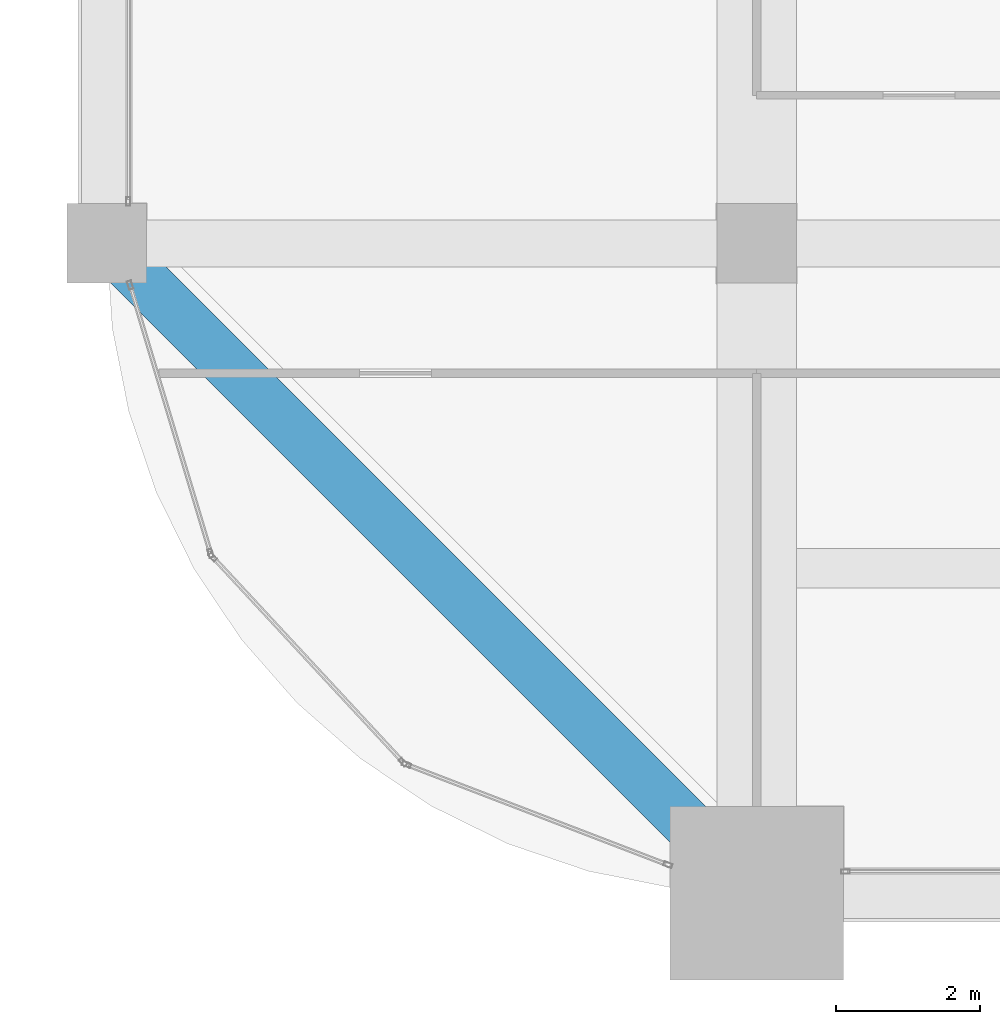
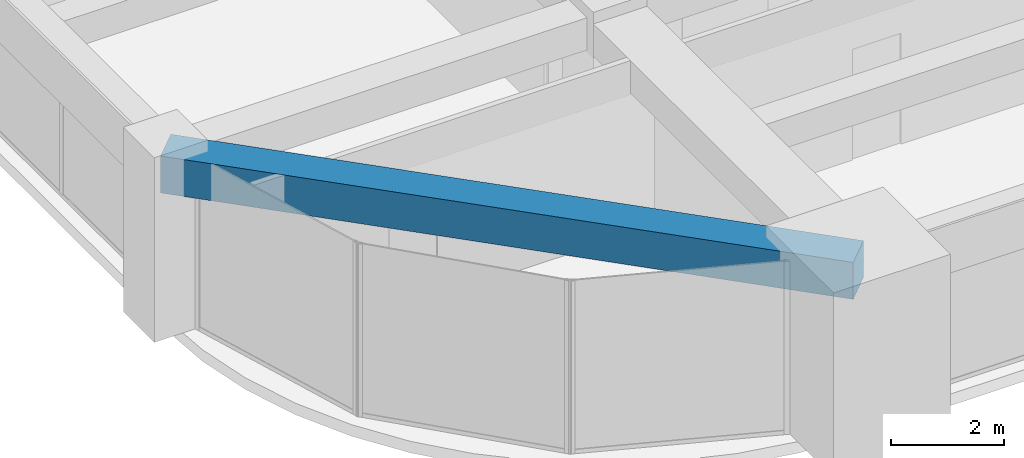
# One storey, part 3 of 45: 1 beam.
"""IFC4 building model written with IfcOpenShell, lengths in metres."""

import ifcopenshell
import ifcopenshell.guid

model = None  # the IFC model being written
_history = None  # IfcOwnerHistory: only IFC2X3 demands one
_inside = {}  # id of a spatial element -> (the spatial element, [elements in it])
_under = {}  # id of a project, library or spatial element -> (it, [spatial elements below it])
_declared = {}  # id of a project -> (the project, [libraries it declares])
_typed = {}  # id of a type object -> (the type object, [elements of that type])
_made_of = {}  # id of a material, layer set ... -> (it, [elements and type objects made of it])


def new_model(schema):
    """Start an empty IFC model of exactly this schema.

    Asked for "IFC4X3", IfcOpenShell would pick the latest addendum, in which some entities
    have other attributes; the version numbers below select the first issue.
    IFC2X3 requires an IfcOwnerHistory on every rooted entity: one is made here for all.
    """
    global model, _history
    if schema == "IFC4X3":
        model = ifcopenshell.file(schema_version=(4, 3, 0, 0))
    else:
        model = ifcopenshell.file(schema=schema)
    _inside.clear()
    _under.clear()
    _declared.clear()
    _typed.clear()
    _made_of.clear()
    _history = None
    if model.schema == "IFC2X3":
        org = make("IfcOrganization", Name="unknown")
        user = make(
            "IfcPersonAndOrganization",
            ThePerson=make("IfcPerson", FamilyName="unknown"),
            TheOrganization=org,
        )
        app = make(
            "IfcApplication",
            ApplicationDeveloper=org,
            Version="unknown",
            ApplicationFullName="unknown",
            ApplicationIdentifier="unknown",
        )
        _history = make(
            "IfcOwnerHistory",
            OwningUser=user,
            OwningApplication=app,
            ChangeAction="ADDED",
            CreationDate=0,
        )
    return model


def make(cls, **values):
    """One entity of the class cls with the attributes given. An attribute that is None is left unset."""
    return model.create_entity(
        cls, **{name: value for name, value in values.items() if value is not None}
    )


def rooted(cls, **values):
    """An entity with a GlobalId (a new one), such as an element, a storey or a relation."""
    return make(cls, GlobalId=ifcopenshell.guid.new(), OwnerHistory=_history, **values)


def si_unit(unit_type, name, prefix=None):
    """IfcSIUnit, for example si_unit("LENGTHUNIT", "METRE", prefix="MILLI")."""
    return make("IfcSIUnit", UnitType=unit_type, Prefix=prefix, Name=name)


def assignment(units):
    """IfcUnitAssignment: the units of a project."""
    return None if units is None else make("IfcUnitAssignment", Units=units)


def point(xyz):
    """IfcCartesianPoint."""
    return None if xyz is None else make("IfcCartesianPoint", Coordinates=xyz)


def direction(xyz):
    """IfcDirection."""
    return None if xyz is None else make("IfcDirection", DirectionRatios=xyz)


def frame(location, z_axis=None, x_axis=None):
    """IfcAxis2Placement3D, a coordinate frame: its origin and axes. An axis left out is left unset."""
    return make(
        "IfcAxis2Placement3D",
        Location=point(location),
        Axis=direction(z_axis),
        RefDirection=direction(x_axis),
    )


def frame_2d(location, x_axis=None):
    """IfcAxis2Placement2D, a coordinate frame in the plane: its origin and x axis."""
    return make(
        "IfcAxis2Placement2D", Location=point(location), RefDirection=direction(x_axis)
    )


def origin():
    """The frame at (0, 0, 0) with its axes left unset."""
    return frame((0.0, 0.0, 0.0))


def origin_2d():
    """The frame at (0, 0) in the plane with its x axis left unset."""
    return frame_2d((0.0, 0.0))


def place(relative_to, where):
    """IfcLocalPlacement: puts the frame where relative to a parent placement (None: the world)."""
    return make(
        "IfcLocalPlacement", PlacementRelTo=relative_to, RelativePlacement=where
    )


def context(
    kind, dimensions, precision=None, world=None, true_north=None, identifier=None
):
    """IfcGeometricRepresentationContext, for example the 3D "Model" context."""
    return make(
        "IfcGeometricRepresentationContext",
        ContextIdentifier=identifier,
        ContextType=kind,
        CoordinateSpaceDimension=dimensions,
        Precision=precision,
        WorldCoordinateSystem=world,
        TrueNorth=true_north,
    )


def subcontext(parent, identifier, kind, view, scale=None):
    """IfcGeometricRepresentationSubContext, for example "Body" below "Model"."""
    return make(
        "IfcGeometricRepresentationSubContext",
        ContextIdentifier=identifier,
        ContextType=kind,
        ParentContext=parent,
        TargetScale=scale,
        TargetView=view,
    )


def project(units=None, contexts=None):
    """IfcProject with its units and contexts."""
    return rooted(
        "IfcProject",
        Name="project",
        RepresentationContexts=contexts,
        UnitsInContext=assignment(units),
    )


def spatial(cls, under=None, at=None, **own):
    """A site, building, storey or space (cls), placed at a placement, below another one or the project."""
    s = rooted(cls, ObjectPlacement=at, **own)
    if under is not None:
        _under.setdefault(under.id(), (under, []))[1].append(s)
    return s


def profile(cls, at=None, kind="AREA", **sizes):
    """A parametric profile (cls). Its sizes go by their IFC names, for example OverallWidth=200.0."""
    return make(cls, ProfileType=kind, Position=at, **sizes)


def rectangle(**sizes):
    """IfcRectangleProfileDef."""
    return profile("IfcRectangleProfileDef", **sizes)


def extrude(swept, where, along, depth):
    """IfcExtrudedAreaSolid: the profile swept, set in the frame where, extruded along a direction by depth."""
    return make(
        "IfcExtrudedAreaSolid",
        SweptArea=swept,
        Position=where,
        ExtrudedDirection=direction(along),
        Depth=depth,
    )


def shape(context_of_items, identifier, shape_type, items):
    """IfcShapeRepresentation: the items that make up one representation, for example the "Body"."""
    return make(
        "IfcShapeRepresentation",
        ContextOfItems=context_of_items,
        RepresentationIdentifier=identifier,
        RepresentationType=shape_type,
        Items=items,
    )


def material(Name=None, Category=None):
    """IfcMaterial."""
    return make("IfcMaterial", Name=Name, Category=Category)


def material_profile(
    of_material, cross_section, Name=None, Category=None, Priority=None
):
    """IfcMaterialProfile: a cross section and its material."""
    return make(
        "IfcMaterialProfile",
        Name=Name,
        Material=of_material,
        Profile=cross_section,
        Priority=Priority,
        Category=Category,
    )


def profile_set(profiles, Name=None, composite=None):
    """IfcMaterialProfileSet."""
    return make(
        "IfcMaterialProfileSet",
        Name=Name,
        MaterialProfiles=profiles,
        CompositeProfile=composite,
    )


def made_of(thing, what):
    """Note that an element or type object is made of a material, layer set ...; save() writes the relation."""
    if what is not None:
        _made_of.setdefault(what.id(), (what, []))[1].append(thing)
    return thing


def type_object(cls, material=None, **own):
    """A type object (cls), such as IfcWallType, which elements share."""
    return made_of(rooted(cls, **own), material)


def element(
    cls,
    number,
    at=None,
    inside=None,
    cuts=None,
    type_object=None,
    material=None,
    context=None,
    identifier="Body",
    shape_type=None,
    held_by="IfcProductDefinitionShape",
    body=None,
    shapes=None,
    **own,
):
    """One element of the class cls, such as IfcWall. Its Tag is "e" and its number.

    at: its placement. inside: the storey or other place that contains it. cuts: it is an
    opening in that element (IfcRelVoidsElement). A single representation is given by context,
    identifier, shape_type and body (its items); several are given by shapes. held_by: the class
    of the entity that holds the representations. save() writes the other relations.
    """
    e = rooted(cls, Tag="e%d" % number, ObjectPlacement=at, **own)
    if body is not None:
        shapes = [shape(context, identifier, shape_type, body)]
    if shapes is not None:
        e.Representation = make(held_by, Representations=shapes)
    if inside is not None:
        _inside.setdefault(inside.id(), (inside, []))[1].append(e)
    if cuts is not None:
        rooted(
            "IfcRelVoidsElement", RelatingBuildingElement=cuts, RelatedOpeningElement=e
        )
    if type_object is not None:
        _typed.setdefault(type_object.id(), (type_object, []))[1].append(e)
    return made_of(e, material)


def aggregate(whole, parts):
    """IfcRelAggregates: a whole, such as a stair, and the parts it consists of."""
    return rooted("IfcRelAggregates", RelatingObject=whole, RelatedObjects=parts)


def save(model, path):
    """Write the relations noted so far, then the file.

    IfcRelAggregates (storeys below a building ...), IfcRelContainedInSpatialStructure (elements
    in a storey), IfcRelDefinesByType, IfcRelAssociatesMaterial and IfcRelDeclares: one each for
    every whole, place, type object, material and project.
    """
    for whole, parts in _under.values():
        aggregate(whole, parts)
    for where, things in _inside.values():
        rooted(
            "IfcRelContainedInSpatialStructure",
            RelatedElements=things,
            RelatingStructure=where,
        )
    for kind, things in _typed.values():
        rooted("IfcRelDefinesByType", RelatedObjects=things, RelatingType=kind)
    for what, things in _made_of.values():
        rooted("IfcRelAssociatesMaterial", RelatedObjects=things, RelatingMaterial=what)
    for by, libraries in _declared.values():
        rooted("IfcRelDeclares", RelatingContext=by, RelatedDefinitions=libraries)
    model.write(path)


model = new_model("IFC4")

# Units and contexts
model_context = context("Model", 3, precision=1e-05, world=origin(), true_north=direction((0.0, 1.0)))
body_context = subcontext(model_context, "Body", "Model", "MODEL_VIEW")
ifc_project = project(units=[si_unit("LENGTHUNIT", "METRE"), si_unit("AREAUNIT", "SQUARE_METRE"), si_unit("VOLUMEUNIT", "CUBIC_METRE"), si_unit("PLANEANGLEUNIT", "RADIAN"), si_unit("MASSUNIT", "GRAM", prefix="KILO")], contexts=[model_context])

# Site, building, storey
site_placement = place(None, origin())
site = spatial("IfcSite", under=ifc_project, at=site_placement, CompositionType="ELEMENT")
building_placement = place(site_placement, origin())
building = spatial("IfcBuilding", under=site, at=building_placement, Name="Zorevar Civic Tower", CompositionType="ELEMENT")
storey_placement = place(building_placement, frame((0.0, 0.0, 247.39990234375)))
storey = spatial("IfcBuildingStorey", under=building, at=storey_placement, Name="L60", CompositionType="ELEMENT", Elevation=247.39990234375)

# Beam
ifc_material = material(Name="Concrete C50/60", Category="concrete")
ifc_material_profile = material_profile(ifc_material, rectangle(XDim=0.699951171875, YDim=0.800048828125, at=origin_2d()), Name="RC 700x800")
ifc_profile_set = profile_set([ifc_material_profile], Name="Concrete C50/60")
beam_type = type_object("IfcBeamType", Name="Edge beam RC 700x800", PredefinedType="SPANDREL", material=ifc_profile_set)
beam_placement = place(storey_placement, frame((9.0, 9.0, 3.35009765625), z_axis=(0.707106781187, -0.707106781187, 0.0), x_axis=(0.707106781187, 0.707106781187, 0.0)))
element("IfcBeam", 1, at=beam_placement, inside=storey, type_object=beam_type, Name="Corner edge beam L61", PredefinedType="SPANDREL", context=body_context, shape_type="SweptSolid", body=[
    extrude(rectangle(XDim=0.699951171875, YDim=0.800048828125, at=origin_2d()), origin(), (0.0, 0.0, 1.0), 12.72802734375),
])

save(model, "model.ifc")
